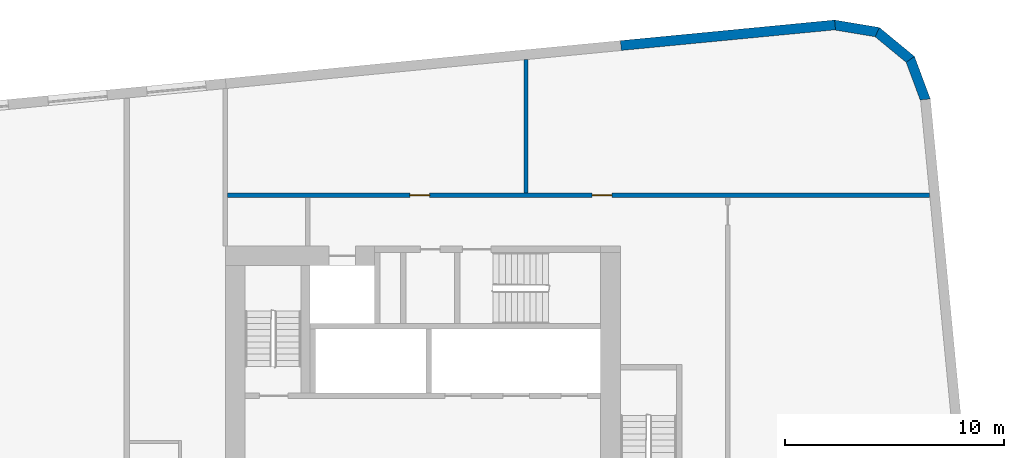
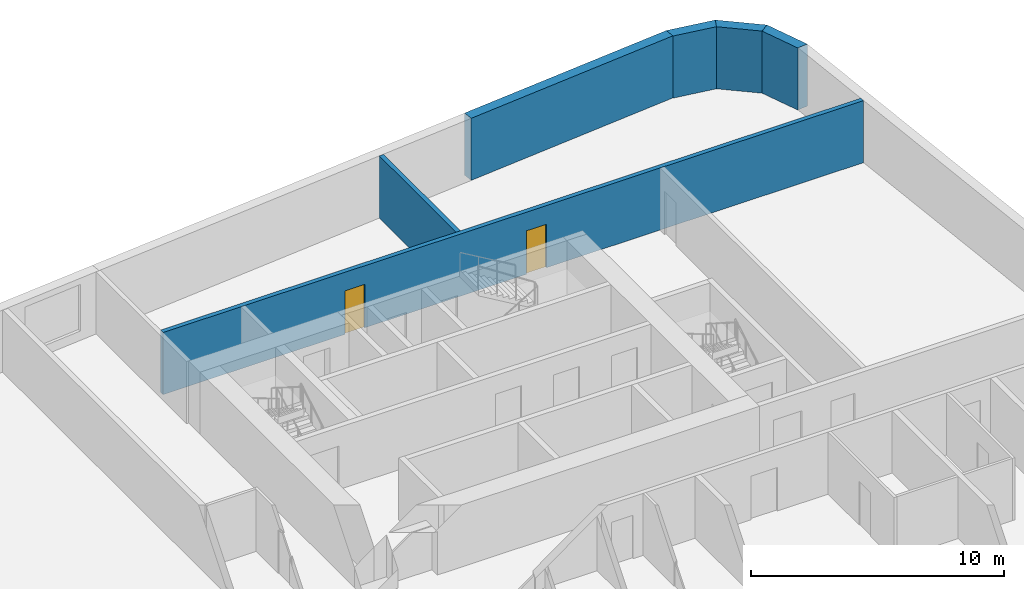
# One storey, part 8 of 12: 6 walls, 2 doors, 2 openings.
"""IFC4 building model written with IfcOpenShell, lengths in metres."""

from ifc_helpers import new_model, si_unit, direction, frame, frame_2d, origin, place, context, subcontext, project, spatial, polyline, rectangle, outline, extrude, material, layer, layer_set, type_object, element, fill, save


model = new_model("IFC4")

# Units and contexts
model_context = context("Model", 3, precision=1e-05, world=origin(), true_north=direction((0.0, 1.0)))
body_context = subcontext(model_context, "Body", "Model", "MODEL_VIEW")
ifc_project = project(units=[si_unit("LENGTHUNIT", "METRE"), si_unit("AREAUNIT", "SQUARE_METRE"), si_unit("VOLUMEUNIT", "CUBIC_METRE"), si_unit("PLANEANGLEUNIT", "RADIAN"), si_unit("MASSUNIT", "GRAM", prefix="KILO")], contexts=[model_context])

# Site, building, storey
site_placement = place(None, origin())
site = spatial("IfcSite", under=ifc_project, at=site_placement, CompositionType="ELEMENT")
building_placement = place(site_placement, origin())
building = spatial("IfcBuilding", under=site, at=building_placement, Name="Kajstack Hotel Tower", CompositionType="ELEMENT")
storey_placement = place(building_placement, frame((0.0, 0.0, 147.10009765625)))
storey = spatial("IfcBuildingStorey", under=building, at=storey_placement, Name="L34", CompositionType="ELEMENT", Elevation=147.10009765625)

# Walls
ifc_material_1 = material(Name="Terracotta-faced brick masonry", Category="masonry")
ifc_layer_1 = layer(ifc_material_1, 0.449951171875)
ifc_layer_set_1 = layer_set([ifc_layer_1], Name="EW-TERRA")
wall_type_1 = type_object("IfcWallType", Name="EW-TERRA", PredefinedType="SOLIDWALL", material=ifc_layer_set_1)
wall_1_placement = place(storey_placement, frame((45.41162109375, 22.10986328125, 0.0), z_axis=(0.0, 0.0, 1.0), x_axis=(-0.350192909346, 0.936677599948, 0.0)))
element("IfcWall", 1, at=wall_1_placement, inside=storey, type_object=wall_type_1, Name="E-wall-L34-09-00", PredefinedType="SOLIDWALL", context=body_context, shape_type="SweptSolid", body=[
    extrude(outline(polyline([(0.0, -0.22509765625), (2.070556640625, -0.22509765625), (1.949951171875, 0.224853515625), (0.12060546875, 0.224853515625), (0.0, -0.22509765625)])), origin(), (0.0, 0.0, 1.0), 3.0),
])
wall_2_placement = place(storey_placement, frame((44.754150390625, 23.95458984375, 0.0), z_axis=(0.0, 0.0, 1.0), x_axis=(-0.771651049663, 0.636046112757, 0.0)))
element("IfcWall", 2, at=wall_2_placement, inside=storey, type_object=wall_type_1, Name="E-wall-L34-10-00", PredefinedType="SOLIDWALL", context=body_context, shape_type="SweptSolid", body=[
    extrude(outline(polyline([(0.0, -0.22509765625), (2.070556640625, -0.22509765625), (1.949951171875, 0.224853515625), (0.12060546875, 0.22509765625), (0.0, -0.22509765625)])), origin(), (0.0, 0.0, 1.0), 3.0),
])
wall_3_placement = place(storey_placement, frame((43.262451171875, 25.223388671875, 0.0), z_axis=(0.0, 0.0, 1.0), x_axis=(-0.986298144721, 0.164972633245, 0.0)))
element("IfcWall", 3, at=wall_3_placement, inside=storey, type_object=wall_type_1, Name="E-wall-L34-11-00", PredefinedType="SOLIDWALL", context=body_context, shape_type="SweptSolid", body=[
    extrude(outline(polyline([(0.0, -0.224853515625), (2.070556640625, -0.22509765625), (1.949951171875, 0.22509765625), (0.12060546875, 0.22509765625), (0.0, -0.224853515625)])), origin(), (0.0, 0.0, 1.0), 3.0),
])
wall_4_placement = place(storey_placement, frame((41.279052734375, 25.56298828125, 0.0), z_axis=(0.0, 0.0, 1.0), x_axis=(-0.995394735506, -0.095860943703, 0.0)))
element("IfcWall", 4, at=wall_4_placement, inside=storey, type_object=wall_type_1, Name="E-wall-L34-12-00", PredefinedType="SOLIDWALL", context=body_context, shape_type="SweptSolid", body=[
    extrude(rectangle(XDim=9.802734375, YDim=0.449951171875, at=frame_2d((4.9013671875, 0.0))), origin(), (0.0, 0.0, 1.0), 3.0),
])

# Wall, openings, doors
ifc_material_2 = material(Name="Gypsum board on steel studs, mineral wool", Category="steel")
ifc_layer_2 = layer(ifc_material_2, 0.199951171875)
ifc_layer_set_2 = layer_set([ifc_layer_2], Name="Service partition 200")
wall_type_2 = type_object("IfcWallType", Name="Service partition 200", PredefinedType="PARTITIONING", material=ifc_layer_set_2)
wall_5_placement = place(storey_placement, frame((13.60009765625, 17.800048828125, 0.0), z_axis=(0.0, 0.0, 1.0), x_axis=(1.0, 0.0, 0.0)))
wall_5 = element("IfcWall", 5, at=wall_5_placement, inside=storey, type_object=wall_type_2, Name="Partition E SLN", PredefinedType="PARTITIONING", context=body_context, shape_type="SweptSolid", body=[
    extrude(rectangle(XDim=31.992919921875, YDim=0.199951171875, at=frame_2d((15.99658203125, 0.0))), origin(), (0.0, 0.0, 1.0), 3.0),
])
opening_1_placement = place(wall_5_placement, frame((16.612548828125, 0.0, 0.0)))
opening_1 = element("IfcOpeningElement", 6, at=opening_1_placement, cuts=wall_5, Name="Opening 34E13", PredefinedType="OPENING", context=body_context, shape_type="SweptSolid", body=[
    extrude(rectangle(XDim=0.89990234375, YDim=2.10009765625, at=frame_2d((0.449951171875, 1.050048828125))), frame((0.0, 0.10986328125, 0.0), z_axis=(0.0, -1.0, 0.0), x_axis=(1.0, 0.0, 0.0)), (0.0, 0.0, 1.0), 0.219970703125),
])
opening_2_placement = place(wall_5_placement, frame((8.3125, 0.0, 0.0)))
opening_2 = element("IfcOpeningElement", 7, at=opening_2_placement, cuts=wall_5, Name="Opening 34E14", PredefinedType="OPENING", context=body_context, shape_type="SweptSolid", body=[
    extrude(rectangle(XDim=0.89990234375, YDim=2.10009765625, at=frame_2d((0.449951171875, 1.050048828125))), frame((0.0, 0.10986328125, 0.0), z_axis=(0.0, -1.0, 0.0), x_axis=(1.0, 0.0, 0.0)), (0.0, 0.0, 1.0), 0.219970703125),
])
ifc_material_3 = material(Name="Timber leaf, fire-rated", Category="wood")
door_type = type_object("IfcDoorType", Name="Service door 900", OperationType="SINGLE_SWING_LEFT", PredefinedType="DOOR", material=ifc_material_3)
door_1_placement = place(opening_1_placement, origin())
door_1 = element("IfcDoor", 8, at=door_1_placement, inside=storey, type_object=door_type, Name="Door 34E13", OperationType="SINGLE_SWING_LEFT", OverallHeight=2.10009765625, OverallWidth=0.89990234375, PredefinedType="DOOR", context=body_context, shape_type="SweptSolid", body=[
    extrude(rectangle(XDim=0.89990234375, YDim=2.10009765625, at=frame_2d((0.449951171875, 1.050048828125))), frame((0.0, 0.02490234375, 0.0), z_axis=(0.0, -1.0, 0.0), x_axis=(1.0, 0.0, 0.0)), (0.0, 0.0, 1.0), 0.050048828125),
])
fill(opening_1, door_1)
door_2_placement = place(opening_2_placement, origin())
door_2 = element("IfcDoor", 9, at=door_2_placement, inside=storey, type_object=door_type, Name="Door 34E14", OperationType="SINGLE_SWING_LEFT", OverallHeight=2.10009765625, OverallWidth=0.89990234375, PredefinedType="DOOR", context=body_context, shape_type="SweptSolid", body=[
    extrude(rectangle(XDim=0.89990234375, YDim=2.10009765625, at=frame_2d((0.449951171875, 1.050048828125))), frame((0.0, 0.02490234375, 0.0), z_axis=(0.0, -1.0, 0.0), x_axis=(1.0, 0.0, 0.0)), (0.0, 0.0, 1.0), 0.050048828125),
])
fill(opening_2, door_2)

# Wall
wall_6_placement = place(storey_placement, frame((27.199951171875, 17.89990234375, 0.0), z_axis=(0.0, 0.0, 1.0), x_axis=(0.0, 1.0, 0.0)))
element("IfcWall", 10, at=wall_6_placement, inside=storey, type_object=wall_type_2, Name="Partition E SLP0", PredefinedType="PARTITIONING", context=body_context, shape_type="SweptSolid", body=[
    extrude(rectangle(XDim=6.082275390625, YDim=0.199951171875, at=frame_2d((3.041015625, 0.0))), origin(), (0.0, 0.0, 1.0), 3.0),
])

save(model, "model.ifc")
